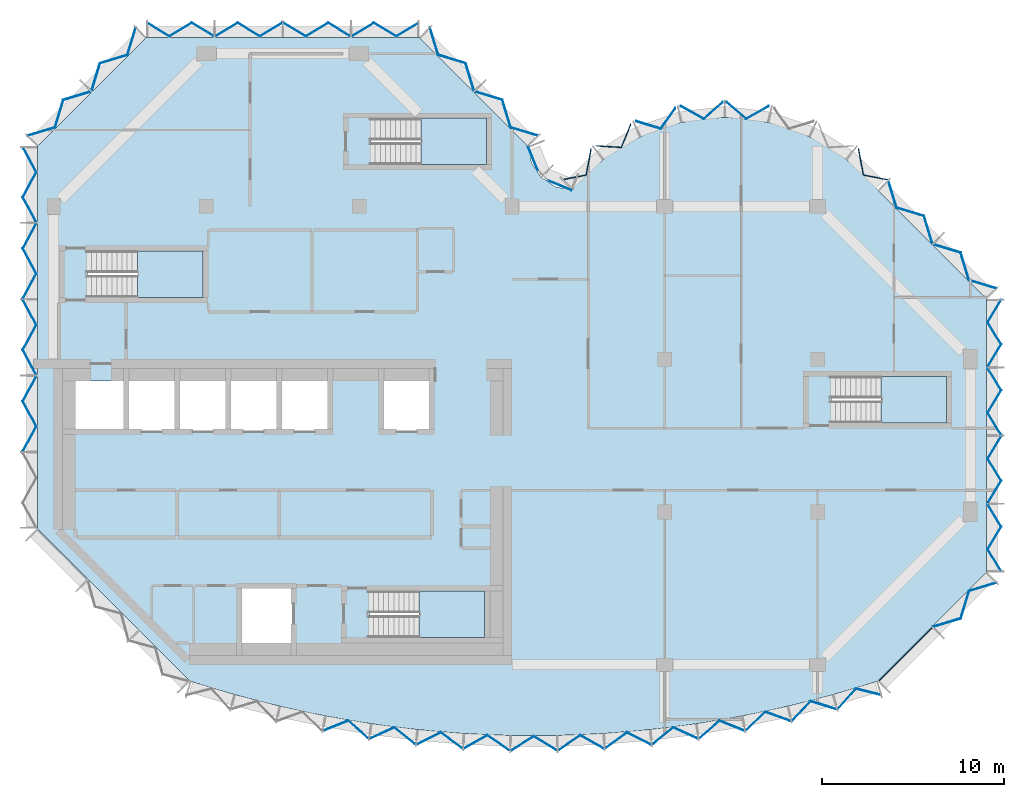
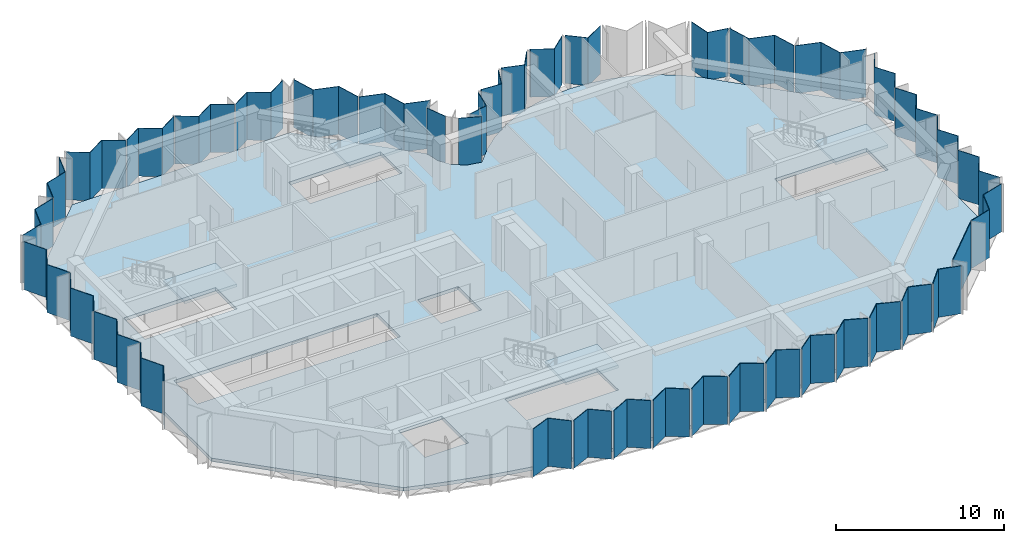
# One storey, part 3 of 10: 40 plates, 5 slabs, 14 elements without a shape of their own.
"""IFC4 building model written with IfcOpenShell, lengths in metres."""

from ifc_helpers import new_model, si_unit, direction, frame, origin, place, context, subcontext, project, spatial, polyline, outline, extrude, material, layer, layer_set, type_object, element, aggregate, save


model = new_model("IFC4")

# Units and contexts
model_context = context("Model", 3, precision=1e-05, world=origin(), true_north=direction((0.0, 1.0)))
body_context = subcontext(model_context, "Body", "Model", "MODEL_VIEW")
ifc_project = project(units=[si_unit("LENGTHUNIT", "METRE"), si_unit("AREAUNIT", "SQUARE_METRE"), si_unit("VOLUMEUNIT", "CUBIC_METRE"), si_unit("PLANEANGLEUNIT", "RADIAN"), si_unit("MASSUNIT", "GRAM", prefix="KILO")], contexts=[model_context])

# Site, building, storey
site_placement = place(None, origin())
site = spatial("IfcSite", under=ifc_project, at=site_placement, CompositionType="ELEMENT")
building_placement = place(site_placement, origin())
building = spatial("IfcBuilding", under=site, at=building_placement, Name="Brevane Broadcast Tower", CompositionType="ELEMENT")
storey_placement = place(building_placement, frame((0.0, 0.0, 237.300048828125)))
storey = spatial("IfcBuildingStorey", under=building, at=storey_placement, Name="L60", CompositionType="ELEMENT", Elevation=237.300048828125)

# Curtain wall, plates
ifc_material_1 = material(Name="Aluminium 6063-T6 bronze anodised", Category="aluminium")
curtain_wall_type = type_object("IfcCurtainWallType", Name="CW-1 curtain wall", PredefinedType="NOTDEFINED", material=ifc_material_1)
curtain_wall_1_placement = place(storey_placement, origin())
curtain_wall_1 = element("IfcCurtainWall", 1, at=curtain_wall_1_placement, inside=storey, type_object=curtain_wall_type, Name="CW-1 typical tilted unit L60 south bow", PredefinedType="NOTDEFINED")
ifc_material_2 = material(Name="Laminated glass bronze-tinted", Category="glass")
ifc_layer_1 = layer(ifc_material_2, 0.0400390625)
ifc_layer_set_1 = layer_set([ifc_layer_1], Name="CW tall glass panel 40")
plate_type = type_object("IfcPlateType", Name="CW tall glass panel 40", PredefinedType="CURTAIN_PANEL", material=ifc_layer_set_1)
plate_1_placement = place(storey_placement, frame((0.0, 0.0, -0.150146484375)))
plate_1 = element("IfcPlate", 2, at=plate_1_placement, type_object=plate_type, Name="CW-1 glass panel", PredefinedType="CURTAIN_PANEL", context=body_context, shape_type="SweptSolid", body=[
    extrude(outline(polyline([(14.865966796875, -3.58984375), (14.85693359375, -3.63671875), (16.190185546875, -3.09716796875), (17.271240234375, -4.04638671875), (17.2783203125, -3.99951171875), (16.197998046875, -3.05078125), (14.865966796875, -3.58984375)])), origin(), (0.0, 0.0, 1.0), 3.5),
])
plate_2_placement = place(storey_placement, frame((0.0, 0.0, -0.150146484375)))
plate_2 = element("IfcPlate", 3, at=plate_2_placement, type_object=plate_type, Name="CW-1 glass panel", PredefinedType="CURTAIN_PANEL", context=body_context, shape_type="SweptSolid", body=[
    extrude(outline(polyline([(17.424072265625, -4.021728515625), (17.4169921875, -4.06884765625), (18.72705078125, -3.47265625), (19.8466796875, -4.37451171875), (19.851806640625, -4.3271484375), (18.73291015625, -3.426025390625), (17.424072265625, -4.021728515625)])), origin(), (0.0, 0.0, 1.0), 3.5),
])
plate_3_placement = place(storey_placement, frame((0.0, 0.0, -0.150146484375)))
plate_3 = element("IfcPlate", 4, at=plate_3_placement, type_object=plate_type, Name="CW-1 glass panel", PredefinedType="CURTAIN_PANEL", context=body_context, shape_type="SweptSolid", body=[
    extrude(outline(polyline([(19.998046875, -4.3466796875), (19.992919921875, -4.39404296875), (21.27734375, -3.741943359375), (22.43359375, -4.594482421875), (22.4365234375, -4.547119140625), (21.28125, -3.695068359375), (19.998046875, -4.3466796875)])), origin(), (0.0, 0.0, 1.0), 3.5),
])
plate_4_placement = place(storey_placement, frame((0.0, 0.0, -0.150146484375)))
plate_4 = element("IfcPlate", 5, at=plate_4_placement, type_object=plate_type, Name="CW-1 glass panel", PredefinedType="CURTAIN_PANEL", context=body_context, shape_type="SweptSolid", body=[
    extrude(outline(polyline([(22.58349609375, -4.563720703125), (22.580322265625, -4.611083984375), (23.836669921875, -3.904541015625), (25.02783203125, -4.706787109375), (25.02880859375, -4.6591796875), (23.83837890625, -3.857666015625), (22.58349609375, -4.563720703125)])), origin(), (0.0, 0.0, 1.0), 3.5),
])
plate_5_placement = place(storey_placement, frame((0.0, 0.0, -0.150146484375)))
plate_5 = element("IfcPlate", 6, at=plate_5_placement, type_object=plate_type, Name="CW-1 glass panel", PredefinedType="CURTAIN_PANEL", context=body_context, shape_type="SweptSolid", body=[
    extrude(outline(polyline([(25.176025390625, -4.67236328125), (25.175048828125, -4.719970703125), (26.4052734375, -3.958984375), (27.634033203125, -4.70849609375), (27.633056640625, -4.6611328125), (26.4052734375, -3.912109375), (25.176025390625, -4.67236328125)])), origin(), (0.0, 0.0, 1.0), 3.5),
])
plate_6_placement = place(storey_placement, frame((0.0, 0.0, -0.150146484375)))
plate_6 = element("IfcPlate", 7, at=plate_6_placement, type_object=plate_type, Name="CW-1 glass panel", PredefinedType="CURTAIN_PANEL", context=body_context, shape_type="SweptSolid", body=[
    extrude(outline(polyline([(27.76171875, -4.65966796875), (27.7626953125, -4.70703125), (28.958740234375, -3.90478515625), (30.219482421875, -4.611083984375), (30.216552734375, -4.563720703125), (28.956787109375, -3.85791015625), (27.76171875, -4.65966796875)])), origin(), (0.0, 0.0, 1.0), 3.5),
])
plate_7_placement = place(storey_placement, frame((0.0, 0.0, -0.150146484375)))
plate_7 = element("IfcPlate", 8, at=plate_7_placement, type_object=plate_type, Name="CW-1 glass panel", PredefinedType="CURTAIN_PANEL", context=body_context, shape_type="SweptSolid", body=[
    extrude(outline(polyline([(30.36328125, -4.547119140625), (30.366455078125, -4.594482421875), (31.522705078125, -3.741943359375), (32.806884765625, -4.39404296875), (32.802001953125, -4.3466796875), (31.518798828125, -3.695068359375), (30.36328125, -4.547119140625)])), origin(), (0.0, 0.0, 1.0), 3.5),
])
plate_8_placement = place(storey_placement, frame((0.0, 0.0, -0.150146484375)))
plate_8 = element("IfcPlate", 9, at=plate_8_placement, type_object=plate_type, Name="CW-1 glass panel", PredefinedType="CURTAIN_PANEL", context=body_context, shape_type="SweptSolid", body=[
    extrude(outline(polyline([(32.9482421875, -4.3271484375), (32.953369140625, -4.37451171875), (34.072998046875, -3.47265625), (35.383056640625, -4.06884765625), (35.3759765625, -4.021728515625), (34.067138671875, -3.426025390625), (32.9482421875, -4.3271484375)])), origin(), (0.0, 0.0, 1.0), 3.5),
])
plate_9_placement = place(storey_placement, frame((0.0, 0.0, -0.150146484375)))
plate_9 = element("IfcPlate", 10, at=plate_9_placement, type_object=plate_type, Name="CW-1 glass panel", PredefinedType="CURTAIN_PANEL", context=body_context, shape_type="SweptSolid", body=[
    extrude(outline(polyline([(35.521728515625, -3.99951171875), (35.52880859375, -4.04638671875), (36.60986328125, -3.09716796875), (37.943115234375, -3.63671875), (37.93408203125, -3.58984375), (36.60205078125, -3.05078125), (35.521728515625, -3.99951171875)])), origin(), (0.0, 0.0, 1.0), 3.5),
])
plate_10_placement = place(storey_placement, frame((0.0, 0.0, -0.150146484375)))
plate_10 = element("IfcPlate", 11, at=plate_10_placement, type_object=plate_type, Name="CW-1 glass panel", PredefinedType="CURTAIN_PANEL", context=body_context, shape_type="SweptSolid", body=[
    extrude(outline(polyline([(38.07958984375, -3.564453125), (38.08837890625, -3.611328125), (39.128662109375, -2.615966796875), (40.48291015625, -3.09765625), (40.471923828125, -3.051513671875), (39.118896484375, -2.570068359375), (38.07958984375, -3.564453125)])), origin(), (0.0, 0.0, 1.0), 3.5),
])
plate_11_placement = place(storey_placement, frame((0.0, 0.0, -0.150146484375)))
plate_11 = element("IfcPlate", 12, at=plate_11_placement, type_object=plate_type, Name="CW-1 glass panel", PredefinedType="CURTAIN_PANEL", context=body_context, shape_type="SweptSolid", body=[
    extrude(outline(polyline([(40.61669921875, -3.023193359375), (40.627685546875, -3.069580078125), (41.62548828125, -2.030029296875), (42.997802734375, -2.453369140625), (42.985107421875, -2.407470703125), (41.613525390625, -1.984619140625), (40.61669921875, -3.023193359375)])), origin(), (0.0, 0.0, 1.0), 3.5),
])
plate_12_placement = place(storey_placement, frame((0.0, 0.0, -0.150146484375)))
plate_12 = element("IfcPlate", 13, at=plate_12_placement, type_object=plate_type, Name="CW-1 glass panel", PredefinedType="CURTAIN_PANEL", context=body_context, shape_type="SweptSolid", body=[
    extrude(outline(polyline([(43.12939453125, -2.376220703125), (43.14208984375, -2.421875), (44.114013671875, -1.334716796875), (45.501220703125, -1.68798828125), (45.48779296875, -1.643310546875), (44.100341796875, -1.289794921875), (43.12939453125, -2.376220703125)])), origin(), (0.0, 0.0, 1.0), 3.5),
])
aggregate(curtain_wall_1, [plate_1, plate_2, plate_3, plate_4, plate_5, plate_6, plate_7, plate_8, plate_9, plate_10, plate_11, plate_12])

curtain_wall_2_placement = place(storey_placement, origin())
curtain_wall_2 = element("IfcCurtainWall", 14, at=curtain_wall_2_placement, inside=storey, type_object=curtain_wall_type, Name="CW-1 typical tilted unit L60 south-east chamfer", PredefinedType="NOTDEFINED")
plate_13_placement = place(storey_placement, frame((0.0, 0.0, -0.150146484375)))
plate_13 = element("IfcPlate", 15, at=plate_13_placement, type_object=plate_type, Name="CW-1 glass panel", PredefinedType="CURTAIN_PANEL", context=body_context, shape_type="SweptSolid", body=[
    extrude(outline(polyline([(45.345947265625, -0.896484375), (48.29638671875, 2.053955078125), (48.32470703125, 2.02587890625), (45.374267578125, -0.9248046875), (45.345947265625, -0.896484375)])), origin(), (0.0, 0.0, 1.0), 3.5),
])
plate_14_placement = place(storey_placement, frame((0.0, 0.0, -0.150146484375)))
plate_14 = element("IfcPlate", 16, at=plate_14_placement, type_object=plate_type, Name="CW-1 glass panel", PredefinedType="CURTAIN_PANEL", context=body_context, shape_type="SweptSolid", body=[
    extrude(outline(polyline([(48.343994140625, 2.10546875), (48.376220703125, 2.073486328125), (49.885986328125, 2.530517578125), (50.343017578125, 4.040283203125), (51.85302734375, 4.49755859375), (51.82080078125, 4.529541015625), (50.31103515625, 4.072509765625), (49.85400390625, 2.5625), (48.343994140625, 2.10546875)])), origin(), (0.0, 0.0, 1.0), 3.5),
])
aggregate(curtain_wall_2, [plate_13, plate_14])

curtain_wall_3_placement = place(storey_placement, origin())
curtain_wall_3 = element("IfcCurtainWall", 17, at=curtain_wall_3_placement, inside=storey, type_object=curtain_wall_type, Name="CW-1 typical tilted unit L60 east end", PredefinedType="NOTDEFINED")
plate_15_placement = place(storey_placement, frame((0.0, 0.0, -0.150146484375)))
plate_15 = element("IfcPlate", 18, at=plate_15_placement, type_object=plate_type, Name="CW-1 glass panel", PredefinedType="CURTAIN_PANEL", context=body_context, shape_type="SweptSolid", body=[
    extrude(outline(polyline([(52.071044921875, 5.135009765625), (52.117919921875, 5.135009765625), (51.373291015625, 6.36181640625), (52.117919921875, 7.58837890625), (51.373291015625, 8.81494140625), (51.32666015625, 8.81494140625), (52.071044921875, 7.58837890625), (51.32666015625, 6.36181640625), (52.071044921875, 5.135009765625)])), origin(), (0.0, 0.0, 1.0), 3.5),
])
plate_16_placement = place(storey_placement, frame((0.0, 0.0, -0.150146484375)))
plate_16 = element("IfcPlate", 19, at=plate_16_placement, type_object=plate_type, Name="CW-1 glass panel", PredefinedType="CURTAIN_PANEL", context=body_context, shape_type="SweptSolid", body=[
    extrude(outline(polyline([(51.32666015625, 8.885009765625), (51.373291015625, 8.885009765625), (52.117919921875, 10.11181640625), (51.373291015625, 11.33837890625), (52.117919921875, 12.56494140625), (52.071044921875, 12.56494140625), (51.32666015625, 11.33837890625), (52.071044921875, 10.11181640625), (51.32666015625, 8.885009765625)])), origin(), (0.0, 0.0, 1.0), 3.5),
])
plate_17_placement = place(storey_placement, frame((0.0, 0.0, -0.150146484375)))
plate_17 = element("IfcPlate", 20, at=plate_17_placement, type_object=plate_type, Name="CW-1 glass panel", PredefinedType="CURTAIN_PANEL", context=body_context, shape_type="SweptSolid", body=[
    extrude(outline(polyline([(52.071044921875, 12.635009765625), (52.117919921875, 12.635009765625), (51.373291015625, 13.86181640625), (52.117919921875, 15.08837890625), (51.373291015625, 16.31494140625), (51.32666015625, 16.31494140625), (52.071044921875, 15.08837890625), (51.32666015625, 13.86181640625), (52.071044921875, 12.635009765625)])), origin(), (0.0, 0.0, 1.0), 3.5),
])
plate_18_placement = place(storey_placement, frame((0.0, 0.0, -0.150146484375)))
plate_18 = element("IfcPlate", 21, at=plate_18_placement, type_object=plate_type, Name="CW-1 glass panel", PredefinedType="CURTAIN_PANEL", context=body_context, shape_type="SweptSolid", body=[
    extrude(outline(polyline([(51.32666015625, 16.385009765625), (51.373291015625, 16.385009765625), (52.117919921875, 17.61181640625), (51.373291015625, 18.83837890625), (52.117919921875, 20.06494140625), (52.071044921875, 20.06494140625), (51.32666015625, 18.83837890625), (52.071044921875, 17.61181640625), (51.32666015625, 16.385009765625)])), origin(), (0.0, 0.0, 1.0), 3.5),
])
aggregate(curtain_wall_3, [plate_15, plate_16, plate_17, plate_18])

curtain_wall_4_placement = place(storey_placement, origin())
curtain_wall_4 = element("IfcCurtainWall", 22, at=curtain_wall_4_placement, inside=storey, type_object=curtain_wall_type, Name="CW-1 typical tilted unit L60 north-east chamfer", PredefinedType="NOTDEFINED")
plate_19_placement = place(storey_placement, frame((0.0, 0.0, -0.150146484375)))
plate_19 = element("IfcPlate", 23, at=plate_19_placement, type_object=plate_type, Name="CW-1 glass panel", PredefinedType="CURTAIN_PANEL", context=body_context, shape_type="SweptSolid", body=[
    extrude(outline(polyline([(51.82080078125, 20.67041015625), (51.85302734375, 20.702392578125), (50.343017578125, 21.15966796875), (49.885986328125, 22.66943359375), (48.376220703125, 23.126708984375), (48.343994140625, 23.094482421875), (49.85400390625, 22.637451171875), (50.31103515625, 21.127685546875), (51.82080078125, 20.67041015625)])), origin(), (0.0, 0.0, 1.0), 3.5),
])
plate_20_placement = place(storey_placement, frame((0.0, 0.0, -0.150146484375)))
plate_20 = element("IfcPlate", 24, at=plate_20_placement, type_object=plate_type, Name="CW-1 glass panel", PredefinedType="CURTAIN_PANEL", context=body_context, shape_type="SweptSolid", body=[
    extrude(outline(polyline([(48.294677734375, 23.14404296875), (48.32666015625, 23.176025390625), (47.869384765625, 24.68603515625), (46.359619140625, 25.14306640625), (45.902587890625, 26.653076171875), (45.870361328125, 26.620849609375), (46.32763671875, 25.111083984375), (47.83740234375, 24.65380859375), (48.294677734375, 23.14404296875)])), origin(), (0.0, 0.0, 1.0), 3.5),
])
aggregate(curtain_wall_4, [plate_19, plate_20])

curtain_wall_5_placement = place(storey_placement, origin())
curtain_wall_5 = element("IfcCurtainWall", 25, at=curtain_wall_5_placement, inside=storey, type_object=curtain_wall_type, Name="CW-1 typical tilted unit L60 east bow", PredefinedType="NOTDEFINED")
plate_21_placement = place(storey_placement, frame((0.0, 0.0, -0.150146484375)))
plate_21 = element("IfcPlate", 26, at=plate_21_placement, type_object=plate_type, Name="CW-1 glass panel", PredefinedType="CURTAIN_PANEL", context=body_context, shape_type="SweptSolid", body=[
    extrude(outline(polyline([(45.79150390625, 26.656005859375), (45.82470703125, 26.690185546875), (44.539306640625, 26.9423828125), (44.263916015625, 28.3857421875), (44.231201171875, 28.34375), (44.5048828125, 26.908203125), (45.79150390625, 26.656005859375)])), origin(), (0.0, 0.0, 1.0), 3.5),
])
plate_22_placement = place(storey_placement, frame((0.0, 0.0, -0.150146484375)))
plate_22 = element("IfcPlate", 27, at=plate_22_placement, type_object=plate_type, Name="CW-1 glass panel", PredefinedType="CURTAIN_PANEL", context=body_context, shape_type="SweptSolid", body=[
    extrude(outline(polyline([(39.31640625, 30.68798828125), (39.328369140625, 30.740478515625), (38.069580078125, 30.036376953125), (37.008056640625, 30.94921875), (37.008056640625, 30.896484375), (38.064697265625, 29.98779296875), (39.31640625, 30.68798828125)])), origin(), (0.0, 0.0, 1.0), 3.5),
])
plate_23_placement = place(storey_placement, frame((0.0, 0.0, -0.150146484375)))
plate_23 = element("IfcPlate", 28, at=plate_23_placement, type_object=plate_type, Name="CW-1 glass panel", PredefinedType="CURTAIN_PANEL", context=body_context, shape_type="SweptSolid", body=[
    extrude(outline(polyline([(36.7919921875, 30.896484375), (36.7919921875, 30.94921875), (35.730224609375, 30.036376953125), (34.4716796875, 30.740478515625), (34.483642578125, 30.68798828125), (35.735107421875, 29.98779296875), (36.7919921875, 30.896484375)])), origin(), (0.0, 0.0, 1.0), 3.5),
])
plate_24_placement = place(storey_placement, frame((0.0, 0.0, -0.150146484375)))
plate_24 = element("IfcPlate", 29, at=plate_24_placement, type_object=plate_type, Name="CW-1 glass panel", PredefinedType="CURTAIN_PANEL", context=body_context, shape_type="SweptSolid", body=[
    extrude(outline(polyline([(34.17919921875, 30.57080078125), (34.167236328125, 30.622802734375), (33.364501953125, 29.494384765625), (32.021484375, 29.900634765625), (32.044677734375, 29.851806640625), (33.380615234375, 29.44775390625), (34.17919921875, 30.57080078125)])), origin(), (0.0, 0.0, 1.0), 3.5),
])
plate_25_placement = place(storey_placement, frame((0.0, 0.0, -0.150146484375)))
plate_25 = element("IfcPlate", 30, at=plate_25_placement, type_object=plate_type, Name="CW-1 glass panel", PredefinedType="CURTAIN_PANEL", context=body_context, shape_type="SweptSolid", body=[
    extrude(outline(polyline([(31.753173828125, 29.712890625), (31.729736328125, 29.76171875), (31.198486328125, 28.462890625), (29.816650390625, 28.551025390625), (29.849609375, 28.5087890625), (31.224609375, 28.42138671875), (31.753173828125, 29.712890625)])), origin(), (0.0, 0.0, 1.0), 3.5),
])
plate_26_placement = place(storey_placement, frame((0.0, 0.0, -0.150146484375)))
plate_26 = element("IfcPlate", 31, at=plate_26_placement, type_object=plate_type, Name="CW-1 glass panel", PredefinedType="CURTAIN_PANEL", context=body_context, shape_type="SweptSolid", body=[
    extrude(outline(polyline([(29.568603515625, 28.34375), (29.535888671875, 28.3857421875), (29.2607421875, 26.9423828125), (27.975341796875, 26.690185546875), (28.008544921875, 26.656005859375), (29.294921875, 26.908203125), (29.568603515625, 28.34375)])), origin(), (0.0, 0.0, 1.0), 3.5),
])
aggregate(curtain_wall_5, [plate_21, plate_22, plate_23, plate_24, plate_25, plate_26])

curtain_wall_6_placement = place(storey_placement, origin())
curtain_wall_6 = element("IfcCurtainWall", 32, at=curtain_wall_6_placement, inside=storey, type_object=curtain_wall_type, Name="CW-1 typical tilted unit L60 inner corner", PredefinedType="NOTDEFINED")
plate_27_placement = place(storey_placement, frame((0.0, 0.0, -0.150146484375)))
plate_27 = element("IfcPlate", 33, at=plate_27_placement, type_object=plate_type, Name="CW-1 glass panel", PredefinedType="CURTAIN_PANEL", context=body_context, shape_type="SweptSolid", body=[
    extrude(outline(polyline([(28.45166015625, 26.07470703125), (28.466796875, 26.111572265625), (27.2021484375, 26.635498046875), (27.17138671875, 26.60498046875), (28.45166015625, 26.07470703125)])), origin(), (0.0, 0.0, 1.0), 3.5),
])
plate_28_placement = place(storey_placement, frame((0.0, 0.0, -0.150146484375)))
plate_28 = element("IfcPlate", 34, at=plate_28_placement, type_object=plate_type, Name="CW-1 glass panel", PredefinedType="CURTAIN_PANEL", context=body_context, shape_type="SweptSolid", body=[
    extrude(outline(polyline([(26.60498046875, 27.17138671875), (26.635498046875, 27.2021484375), (26.111572265625, 28.466796875), (26.07470703125, 28.45166015625), (26.60498046875, 27.17138671875)])), origin(), (0.0, 0.0, 1.0), 3.5),
])
aggregate(curtain_wall_6, [plate_27, plate_28])

curtain_wall_7_placement = place(storey_placement, origin())
curtain_wall_7 = element("IfcCurtainWall", 35, at=curtain_wall_7_placement, inside=storey, type_object=curtain_wall_type, Name="CW-1 typical tilted unit L60 north arm north-east chamfer", PredefinedType="NOTDEFINED")
plate_29_placement = place(storey_placement, frame((0.0, 0.0, -0.150146484375)))
plate_29 = element("IfcPlate", 36, at=plate_29_placement, type_object=plate_type, Name="CW-1 glass panel", PredefinedType="CURTAIN_PANEL", context=body_context, shape_type="SweptSolid", body=[
    extrude(outline(polyline([(26.620849609375, 29.0703125), (26.653076171875, 29.1025390625), (25.14306640625, 29.5595703125), (24.68603515625, 31.069580078125), (23.176025390625, 31.526611328125), (23.14404296875, 31.49462890625), (24.65380859375, 31.037353515625), (25.111083984375, 29.527587890625), (26.620849609375, 29.0703125)])), origin(), (0.0, 0.0, 1.0), 3.5),
])
plate_30_placement = place(storey_placement, frame((0.0, 0.0, -0.150146484375)))
plate_30 = element("IfcPlate", 37, at=plate_30_placement, type_object=plate_type, Name="CW-1 glass panel", PredefinedType="CURTAIN_PANEL", context=body_context, shape_type="SweptSolid", body=[
    extrude(outline(polyline([(23.094482421875, 31.544189453125), (23.126708984375, 31.576171875), (22.66943359375, 33.0859375), (21.15966796875, 33.543212890625), (20.702392578125, 35.052978515625), (20.67041015625, 35.02099609375), (21.127685546875, 33.510986328125), (22.637451171875, 33.053955078125), (23.094482421875, 31.544189453125)])), origin(), (0.0, 0.0, 1.0), 3.5),
])
aggregate(curtain_wall_7, [plate_29, plate_30])

curtain_wall_8_placement = place(storey_placement, origin())
curtain_wall_8 = element("IfcCurtainWall", 38, at=curtain_wall_8_placement, inside=storey, type_object=curtain_wall_type, Name="CW-1 typical tilted unit L60 north end", PredefinedType="NOTDEFINED")
plate_31_placement = place(storey_placement, frame((0.0, 0.0, -0.150146484375)))
plate_31 = element("IfcPlate", 39, at=plate_31_placement, type_object=plate_type, Name="CW-1 glass panel", PredefinedType="CURTAIN_PANEL", context=body_context, shape_type="SweptSolid", body=[
    extrude(outline(polyline([(20.06494140625, 35.27099609375), (20.06494140625, 35.31787109375), (18.83837890625, 34.573486328125), (17.61181640625, 35.31787109375), (16.385009765625, 34.573486328125), (16.385009765625, 34.526611328125), (17.61181640625, 35.27099609375), (18.83837890625, 34.526611328125), (20.06494140625, 35.27099609375)])), origin(), (0.0, 0.0, 1.0), 3.5),
])
plate_32_placement = place(storey_placement, frame((0.0, 0.0, -0.150146484375)))
plate_32 = element("IfcPlate", 40, at=plate_32_placement, type_object=plate_type, Name="CW-1 glass panel", PredefinedType="CURTAIN_PANEL", context=body_context, shape_type="SweptSolid", body=[
    extrude(outline(polyline([(16.31494140625, 34.526611328125), (16.31494140625, 34.573486328125), (15.08837890625, 35.31787109375), (13.86181640625, 34.573486328125), (12.635009765625, 35.31787109375), (12.635009765625, 35.27099609375), (13.86181640625, 34.526611328125), (15.08837890625, 35.27099609375), (16.31494140625, 34.526611328125)])), origin(), (0.0, 0.0, 1.0), 3.5),
])
plate_33_placement = place(storey_placement, frame((0.0, 0.0, -0.150146484375)))
plate_33 = element("IfcPlate", 41, at=plate_33_placement, type_object=plate_type, Name="CW-1 glass panel", PredefinedType="CURTAIN_PANEL", context=body_context, shape_type="SweptSolid", body=[
    extrude(outline(polyline([(12.56494140625, 35.27099609375), (12.56494140625, 35.31787109375), (11.33837890625, 34.573486328125), (10.11181640625, 35.31787109375), (8.885009765625, 34.573486328125), (8.885009765625, 34.526611328125), (10.11181640625, 35.27099609375), (11.33837890625, 34.526611328125), (12.56494140625, 35.27099609375)])), origin(), (0.0, 0.0, 1.0), 3.5),
])
plate_34_placement = place(storey_placement, frame((0.0, 0.0, -0.150146484375)))
plate_34 = element("IfcPlate", 42, at=plate_34_placement, type_object=plate_type, Name="CW-1 glass panel", PredefinedType="CURTAIN_PANEL", context=body_context, shape_type="SweptSolid", body=[
    extrude(outline(polyline([(8.81494140625, 34.526611328125), (8.81494140625, 34.573486328125), (7.58837890625, 35.31787109375), (6.36181640625, 34.573486328125), (5.135009765625, 35.31787109375), (5.135009765625, 35.27099609375), (6.36181640625, 34.526611328125), (7.58837890625, 35.27099609375), (8.81494140625, 34.526611328125)])), origin(), (0.0, 0.0, 1.0), 3.5),
])
aggregate(curtain_wall_8, [plate_31, plate_32, plate_33, plate_34])

curtain_wall_9_placement = place(storey_placement, origin())
curtain_wall_9 = element("IfcCurtainWall", 43, at=curtain_wall_9_placement, inside=storey, type_object=curtain_wall_type, Name="CW-1 typical tilted unit L60 north-west chamfer", PredefinedType="NOTDEFINED")
plate_35_placement = place(storey_placement, frame((0.0, 0.0, -0.150146484375)))
plate_35 = element("IfcPlate", 44, at=plate_35_placement, type_object=plate_type, Name="CW-1 glass panel", PredefinedType="CURTAIN_PANEL", context=body_context, shape_type="SweptSolid", body=[
    extrude(outline(polyline([(4.529541015625, 35.02099609375), (4.49755859375, 35.052978515625), (4.040283203125, 33.543212890625), (2.530517578125, 33.0859375), (2.073486328125, 31.576171875), (2.10546875, 31.544189453125), (2.5625, 33.053955078125), (4.072509765625, 33.510986328125), (4.529541015625, 35.02099609375)])), origin(), (0.0, 0.0, 1.0), 3.5),
])
plate_36_placement = place(storey_placement, frame((0.0, 0.0, -0.150146484375)))
plate_36 = element("IfcPlate", 45, at=plate_36_placement, type_object=plate_type, Name="CW-1 glass panel", PredefinedType="CURTAIN_PANEL", context=body_context, shape_type="SweptSolid", body=[
    extrude(outline(polyline([(2.055908203125, 31.49462890625), (2.02392578125, 31.526611328125), (0.513916015625, 31.069580078125), (0.056884765625, 29.5595703125), (-1.452880859375, 29.1025390625), (-1.4208984375, 29.0703125), (0.0888671875, 29.527587890625), (0.546142578125, 31.037353515625), (2.055908203125, 31.49462890625)])), origin(), (0.0, 0.0, 1.0), 3.5),
])
aggregate(curtain_wall_9, [plate_35, plate_36])

curtain_wall_10_placement = place(storey_placement, origin())
curtain_wall_10 = element("IfcCurtainWall", 46, at=curtain_wall_10_placement, inside=storey, type_object=curtain_wall_type, Name="CW-1 typical tilted unit L60 west face", PredefinedType="NOTDEFINED")
plate_37_placement = place(storey_placement, frame((0.0, 0.0, -0.150146484375)))
plate_37 = element("IfcPlate", 47, at=plate_37_placement, type_object=plate_type, Name="CW-1 glass panel", PredefinedType="CURTAIN_PANEL", context=body_context, shape_type="SweptSolid", body=[
    extrude(outline(polyline([(-1.671630859375, 28.465087890625), (-1.717041015625, 28.465087890625), (-0.97265625, 27.08837890625), (-1.717041015625, 25.711669921875), (-0.97265625, 24.3349609375), (-0.92724609375, 24.3349609375), (-1.671630859375, 25.711669921875), (-0.92724609375, 27.08837890625), (-1.671630859375, 28.465087890625)])), origin(), (0.0, 0.0, 1.0), 3.5),
])
plate_38_placement = place(storey_placement, frame((0.0, 0.0, -0.150146484375)))
plate_38 = element("IfcPlate", 48, at=plate_38_placement, type_object=plate_type, Name="CW-1 glass panel", PredefinedType="CURTAIN_PANEL", context=body_context, shape_type="SweptSolid", body=[
    extrude(outline(polyline([(-0.92724609375, 24.264892578125), (-0.97265625, 24.264892578125), (-1.717041015625, 22.88818359375), (-0.97265625, 21.51171875), (-1.717041015625, 20.135009765625), (-1.671630859375, 20.135009765625), (-0.92724609375, 21.51171875), (-1.671630859375, 22.88818359375), (-0.92724609375, 24.264892578125)])), origin(), (0.0, 0.0, 1.0), 3.5),
])
plate_39_placement = place(storey_placement, frame((0.0, 0.0, -0.150146484375)))
plate_39 = element("IfcPlate", 49, at=plate_39_placement, type_object=plate_type, Name="CW-1 glass panel", PredefinedType="CURTAIN_PANEL", context=body_context, shape_type="SweptSolid", body=[
    extrude(outline(polyline([(-1.671630859375, 20.06494140625), (-1.717041015625, 20.06494140625), (-0.97265625, 18.688232421875), (-1.717041015625, 17.311767578125), (-0.97265625, 15.93505859375), (-0.92724609375, 15.93505859375), (-1.671630859375, 17.311767578125), (-0.92724609375, 18.688232421875), (-1.671630859375, 20.06494140625)])), origin(), (0.0, 0.0, 1.0), 3.5),
])
plate_40_placement = place(storey_placement, frame((0.0, 0.0, -0.150146484375)))
plate_40 = element("IfcPlate", 50, at=plate_40_placement, type_object=plate_type, Name="CW-1 glass panel", PredefinedType="CURTAIN_PANEL", context=body_context, shape_type="SweptSolid", body=[
    extrude(outline(polyline([(-0.92724609375, 15.864990234375), (-0.97265625, 15.864990234375), (-1.717041015625, 14.48828125), (-0.97265625, 13.11181640625), (-1.717041015625, 11.735107421875), (-1.671630859375, 11.735107421875), (-0.92724609375, 13.11181640625), (-1.671630859375, 14.48828125), (-0.92724609375, 15.864990234375)])), origin(), (0.0, 0.0, 1.0), 3.5),
])
aggregate(curtain_wall_10, [plate_37, plate_38, plate_39, plate_40])

# Stair, slab
ifc_material_3 = material(Name="Concrete C50/60", Category="concrete")
stair_type = type_object("IfcStairType", Name="Exit stair 22 risers", PredefinedType="HALF_TURN_STAIR", material=ifc_material_3)
stair_1_placement = place(storey_placement, origin())
stair_1 = element("IfcStair", 51, at=stair_1_placement, inside=storey, type_object=stair_type, Name="L60 Exit stair ST-1", PredefinedType="HALF_TURN_STAIR")
ifc_layer_2 = layer(ifc_material_3, 0.199951171875)
ifc_layer_set_2 = layer_set([ifc_layer_2], Name="Exit stair landing")
slab_type_1 = type_object("IfcSlabType", Name="Exit stair landing", PredefinedType="LANDING", material=ifc_layer_set_2)
slab_1_placement = place(storey_placement, frame((0.0, 0.0, 1.599853515625)))
slab_1 = element("IfcSlab", 52, at=slab_1_placement, type_object=slab_type_1, Name="ST-1 landing 1", PredefinedType="LANDING", context=body_context, shape_type="SweptSolid", body=[
    extrude(outline(polyline([(4.60009765625, 20.199951171875), (8.199951171875, 20.199951171875), (8.199951171875, 22.75), (4.60009765625, 22.75), (4.60009765625, 20.199951171875)])), origin(), (0.0, 0.0, 1.0), 0.2001953125),
])
aggregate(stair_1, [slab_1])

stair_2_placement = place(storey_placement, origin())
stair_2 = element("IfcStair", 53, at=stair_2_placement, inside=storey, type_object=stair_type, Name="L60 Exit stair ST-2", PredefinedType="HALF_TURN_STAIR")
slab_2_placement = place(storey_placement, frame((0.0, 0.0, 1.599853515625)))
slab_2 = element("IfcSlab", 54, at=slab_2_placement, type_object=slab_type_1, Name="ST-2 landing 1", PredefinedType="LANDING", context=body_context, shape_type="SweptSolid", body=[
    extrude(outline(polyline([(20.10009765625, 1.5), (23.699951171875, 1.5), (23.699951171875, 4.050048828125), (20.10009765625, 4.050048828125), (20.10009765625, 1.5)])), origin(), (0.0, 0.0, 1.0), 0.2001953125),
])
aggregate(stair_2, [slab_2])

stair_3_placement = place(storey_placement, origin())
stair_3 = element("IfcStair", 55, at=stair_3_placement, inside=storey, type_object=stair_type, Name="L60 Exit stair ST-3", PredefinedType="HALF_TURN_STAIR")
slab_3_placement = place(storey_placement, frame((0.0, 0.0, 1.599853515625)))
slab_3 = element("IfcSlab", 56, at=slab_3_placement, type_object=slab_type_1, Name="ST-3 landing 1", PredefinedType="LANDING", context=body_context, shape_type="SweptSolid", body=[
    extrude(outline(polyline([(20.199951171875, 27.5), (23.800048828125, 27.5), (23.800048828125, 30.050048828125), (20.199951171875, 30.050048828125), (20.199951171875, 27.5)])), origin(), (0.0, 0.0, 1.0), 0.2001953125),
])
aggregate(stair_3, [slab_3])

stair_4_placement = place(storey_placement, origin())
stair_4 = element("IfcStair", 57, at=stair_4_placement, inside=storey, type_object=stair_type, Name="L60 Exit stair ST-4", PredefinedType="HALF_TURN_STAIR")
slab_4_placement = place(storey_placement, frame((0.0, 0.0, 1.599853515625)))
slab_4 = element("IfcSlab", 58, at=slab_4_placement, type_object=slab_type_1, Name="ST-4 landing 1", PredefinedType="LANDING", context=body_context, shape_type="SweptSolid", body=[
    extrude(outline(polyline([(45.5, 13.300048828125), (49.10009765625, 13.300048828125), (49.10009765625, 15.85009765625), (45.5, 15.85009765625), (45.5, 13.300048828125)])), origin(), (0.0, 0.0, 1.0), 0.2001953125),
])
aggregate(stair_4, [slab_4])

# Slab
ifc_material_4 = material(Name="Concrete C40/50", Category="concrete")
ifc_layer_3 = layer(ifc_material_4, 0.25)
ifc_layer_set_3 = layer_set([ifc_layer_3], Name="RC FLOOR SLAB 250 C40/50")
slab_type_2 = type_object("IfcSlabType", Name="RC FLOOR SLAB 250 C40/50", PredefinedType="FLOOR", material=ifc_layer_set_3)
slab_5_placement = place(storey_placement, frame((0.0, 0.0, -0.25)))
element("IfcSlab", 59, at=slab_5_placement, inside=storey, type_object=slab_type_2, Name="SL250 L60", PredefinedType="FLOOR", context=body_context, shape_type="SweptSolid", body=[
    extrude(outline(polyline([(-0.89990234375, 7.5), (-0.89990234375, 28.5), (5.10009765625, 34.5), (20.10009765625, 34.5), (26.10009765625, 28.5), (26.28271484375, 27.58154296875), (26.802978515625, 26.802978515625), (27.58154296875, 26.28271484375), (28.5, 26.10009765625), (29.431396484375, 27.10888671875), (30.48291015625, 27.99169921875), (31.6376953125, 28.734130859375), (32.877197265625, 29.324462890625), (34.181640625, 29.7529296875), (35.52978515625, 30.012939453125), (36.89990234375, 30.10009765625), (38.270263671875, 30.012939453125), (39.618408203125, 29.7529296875), (40.922607421875, 29.324462890625), (42.162353515625, 28.734130859375), (43.317138671875, 27.99169921875), (44.36865234375, 27.10888671875), (45.300048828125, 26.10009765625), (51.300048828125, 20.10009765625), (51.300048828125, 5.10009765625), (45.300048828125, -0.89990234375), (43.990234375, -1.310302734375), (42.671630859375, -1.691162109375), (41.3447265625, -2.0419921875), (40.01025390625, -2.36328125), (38.6689453125, -2.654052734375), (37.3212890625, -2.9150390625), (35.96826171875, -3.145263671875), (34.6103515625, -3.34521484375), (33.248291015625, -3.5146484375), (31.8828125, -3.6533203125), (30.5146484375, -3.76123046875), (29.144287109375, -3.83837890625), (27.7724609375, -3.884521484375), (26.39990234375, -3.89990234375), (25.027587890625, -3.884521484375), (23.65576171875, -3.83837890625), (22.285400390625, -3.76123046875), (20.917236328125, -3.6533203125), (19.5517578125, -3.5146484375), (18.189697265625, -3.34521484375), (16.831787109375, -3.145263671875), (15.478759765625, -2.9150390625), (14.131103515625, -2.654052734375), (12.789794921875, -2.36328125), (11.455322265625, -2.0419921875), (10.12841796875, -1.691162109375), (8.809814453125, -1.310302734375), (7.5, -0.89990234375), (-0.89990234375, 7.5)]), holes=[polyline([(13.199951171875, 4.39990234375), (10.199951171875, 4.39990234375), (10.199951171875, 1.199951171875), (13.199951171875, 1.199951171875), (13.199951171875, 4.39990234375)]), polyline([(4.0, 15.60009765625), (1.199951171875, 15.60009765625), (1.199951171875, 12.800048828125), (4.0, 12.800048828125), (6.800048828125, 12.800048828125), (9.60009765625, 12.800048828125), (12.39990234375, 12.800048828125), (15.199951171875, 12.800048828125), (15.199951171875, 15.60009765625), (12.39990234375, 15.60009765625), (9.60009765625, 15.60009765625), (6.800048828125, 15.60009765625), (4.0, 15.60009765625)]), polyline([(1.860107421875, 22.75), (1.860107421875, 20.199951171875), (8.199951171875, 20.199951171875), (8.199951171875, 22.75), (1.860107421875, 22.75)]), polyline([(23.699951171875, 4.050048828125), (17.360107421875, 4.050048828125), (17.360107421875, 1.5), (23.699951171875, 1.5), (23.699951171875, 4.050048828125)]), polyline([(20.800048828125, 15.60009765625), (18.0, 15.60009765625), (18.0, 12.800048828125), (20.800048828125, 12.800048828125), (20.800048828125, 15.60009765625)]), polyline([(49.10009765625, 15.85009765625), (42.760009765625, 15.85009765625), (42.760009765625, 13.300048828125), (49.10009765625, 13.300048828125), (49.10009765625, 15.85009765625)]), polyline([(23.800048828125, 30.050048828125), (17.4599609375, 30.050048828125), (17.4599609375, 27.5), (23.800048828125, 27.5), (23.800048828125, 30.050048828125)])]), origin(), (0.0, 0.0, 1.0), 0.25),
])

save(model, "model.ifc")
